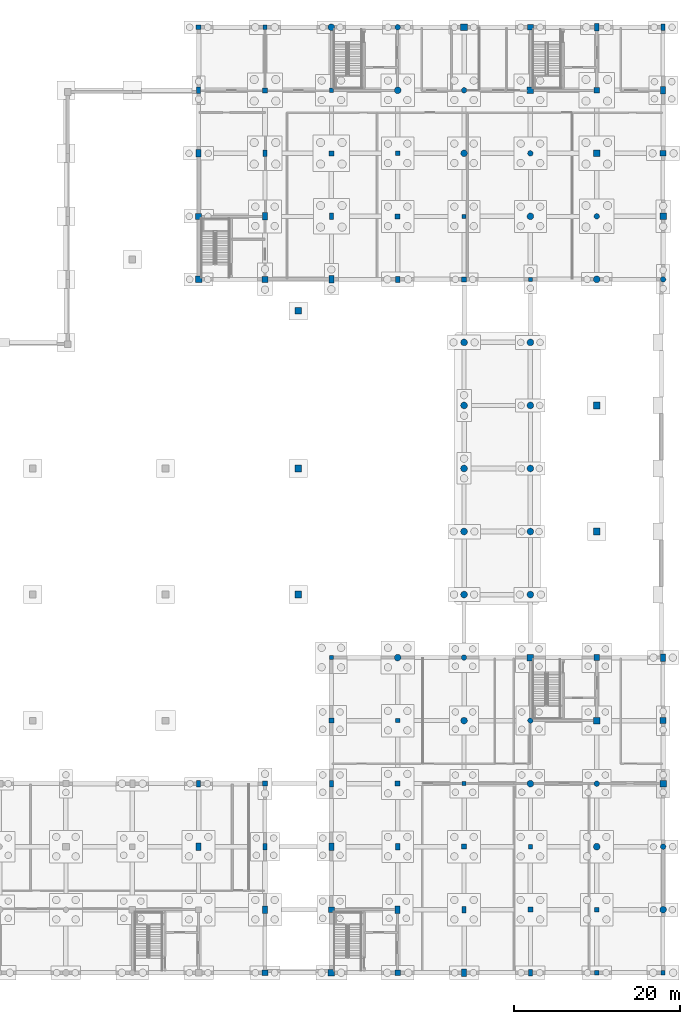
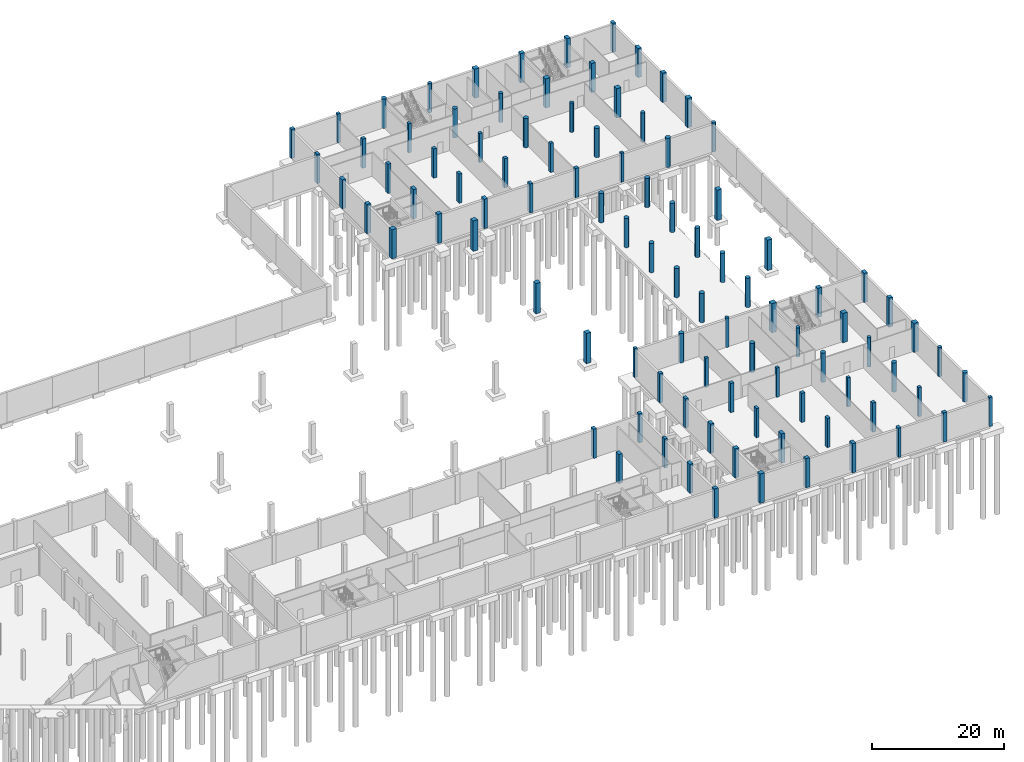
# One storey, part 19 of 44: 97 columns.
"""IFC4 building model written with IfcOpenShell, lengths in metres."""

from ifc_helpers import new_model, si_unit, direction, frame, origin, origin_2d, place, context, subcontext, project, spatial, rectangle, circle, extrude, material, material_profile, profile_set, type_object, element, save


model = new_model("IFC4")

# Units and contexts
model_context = context("Model", 3, precision=1e-05, world=origin(), true_north=direction((0.0, 1.0)))
body_context = subcontext(model_context, "Body", "Model", "MODEL_VIEW")
ifc_project = project(units=[si_unit("LENGTHUNIT", "METRE"), si_unit("AREAUNIT", "SQUARE_METRE"), si_unit("VOLUMEUNIT", "CUBIC_METRE"), si_unit("PLANEANGLEUNIT", "RADIAN"), si_unit("MASSUNIT", "GRAM", prefix="KILO")], contexts=[model_context])

# Site, building, storey
site_placement = place(None, origin())
site = spatial("IfcSite", under=ifc_project, at=site_placement, CompositionType="ELEMENT")
building_placement = place(site_placement, origin())
building = spatial("IfcBuilding", under=site, at=building_placement, Name="Khelvaren Railside Concert Hall", CompositionType="ELEMENT")
storey_placement = place(building_placement, frame((0.0, 0.0, -5.39990234375)))
storey = spatial("IfcBuildingStorey", under=building, at=storey_placement, Name="B1", CompositionType="ELEMENT", Elevation=-5.39990234375)

# Columns
ifc_material = material(Name="Concrete C45/55", Category="concrete")
ifc_material_profile_1 = material_profile(ifc_material, rectangle(XDim=0.60009765625, YDim=0.60009765625, at=origin_2d()), Name="RC 600x600")
ifc_profile_set_1 = profile_set([ifc_material_profile_1], Name="Concrete C45/55")
column_type_1 = type_object("IfcColumnType", Name="COL11", PredefinedType="COLUMN", material=ifc_profile_set_1)
for number, where, z_axis, x_axis, name in (
    (1, (144.0, 30.39990234375, 0.0), (0.0, 0.0, 1.0), (1.0, 0.0, 0.0), "V2 B1 Column (144.0,30.4)"),
    (2, (176.0, 0.0, 0.0), (0.0, 0.0, 1.0), (1.0, 0.0, 0.0), "V2 B1 Column (176.0,0.0)"),
    (3, (136.0, 22.800048828125, 0.0), (0.0, 0.0, 1.0), (1.0, 0.0, 0.0), "V3 B1 Column (136.0,22.8)"),
    (4, (128.0, 114.0, 0.0), (0.0, 0.0, 1.0), (1.0, 0.0, 0.0), "V5 B1 Column (128.0,114.0)"),
    (5, (160.0, 83.60009765625, 0.0), (0.0, 0.0, 1.0), (1.0, 0.0, 0.0), "V5 B1 Column (160.0,83.6)"),
):
    element("IfcColumn", number, at=place(storey_placement, frame(where, z_axis=z_axis, x_axis=x_axis)), inside=storey, type_object=column_type_1, Name=name, PredefinedType="COLUMN", context=body_context, shape_type="SweptSolid", body=[
        extrude(rectangle(XDim=0.60009765625, YDim=0.60009765625, at=origin_2d()), origin(), (0.0, 0.0, 1.0), 5.39990234375),
    ])
ifc_material_profile_2 = material_profile(ifc_material, circle(Radius=0.39990234375, at=origin_2d()), Name="RC D800")
ifc_profile_set_2 = profile_set([ifc_material_profile_2], Name="Concrete C45/55")
column_type_2 = type_object("IfcColumnType", Name="COL14", PredefinedType="COLUMN", material=ifc_profile_set_2)
for number, where, z_axis, x_axis, name in (
    (6, (160.0, 30.39990234375, 0.0), (0.0, 0.0, 1.0), (1.0, 0.0, 0.0), "V2 B1 Column (160.0,30.4)"),
    (7, (168.0, 22.800048828125, 0.0), (0.0, 0.0, 1.0), (1.0, 0.0, 0.0), "V2 B1 Column (168.0,22.8)"),
    (8, (176.0, 15.199951171875, 0.0), (0.0, 0.0, 1.0), (1.0, 0.0, 0.0), "V2 B1 Column (176.0,15.2)"),
    (9, (152.0, 106.39990234375, 0.0), (0.0, 0.0, 1.0), (1.0, 0.0, 0.0), "V5 B1 Column (152.0,106.4)"),
    (10, (160.0, 98.800048828125, 0.0), (0.0, 0.0, 1.0), (1.0, 0.0, 0.0), "V5 B1 Column (160.0,98.8)"),
    (11, (168.0, 91.199951171875, 0.0), (0.0, 0.0, 1.0), (1.0, 0.0, 0.0), "V5 B1 Column (168.0,91.2)"),
    (12, (160.0, 45.60009765625, 0.0), (0.0, 0.0, 1.0), (1.0, 0.0, 0.0), "LB4 B1 Bridge Pier (160,45.6)"),
    (13, (160.0, 53.199951171875, 0.0), (0.0, 0.0, 1.0), (1.0, 0.0, 0.0), "LB4 B1 Bridge Pier (160,53.2)"),
    (14, (160.0, 60.800048828125, 0.0), (0.0, 0.0, 1.0), (1.0, 0.0, 0.0), "LB4 B1 Bridge Pier (160,60.8)"),
    (15, (160.0, 68.39990234375, 0.0), (0.0, 0.0, 1.0), (1.0, 0.0, 0.0), "LB4 B1 Bridge Pier (160,68.4)"),
    (16, (160.0, 76.0, 0.0), (0.0, 0.0, 1.0), (1.0, 0.0, 0.0), "LB4 B1 Bridge Pier (160,76.0)"),
    (17, (168.0, 45.60009765625, 0.0), (0.0, 0.0, 1.0), (1.0, 0.0, 0.0), "LB4 B1 Bridge Pier (168,45.6)"),
    (18, (168.0, 53.199951171875, 0.0), (0.0, 0.0, 1.0), (1.0, 0.0, 0.0), "LB4 B1 Bridge Pier (168,53.2)"),
    (19, (168.0, 60.800048828125, 0.0), (0.0, 0.0, 1.0), (1.0, 0.0, 0.0), "LB4 B1 Bridge Pier (168,60.8)"),
    (20, (168.0, 68.39990234375, 0.0), (0.0, 0.0, 1.0), (1.0, 0.0, 0.0), "LB4 B1 Bridge Pier (168,68.4)"),
    (21, (168.0, 76.0, 0.0), (0.0, 0.0, 1.0), (1.0, 0.0, 0.0), "LB4 B1 Bridge Pier (168,76.0)"),
):
    element("IfcColumn", number, at=place(storey_placement, frame(where, z_axis=z_axis, x_axis=x_axis)), inside=storey, type_object=column_type_2, Name=name, PredefinedType="COLUMN", context=body_context, shape_type="SweptSolid", body=[
        extrude(circle(Radius=0.39990234375, at=origin_2d()), origin(), (0.0, 0.0, 1.0), 5.39990234375),
    ])
ifc_material_profile_3 = material_profile(ifc_material, rectangle(XDim=0.699951171875, YDim=0.699951171875, at=origin_2d()), Name="RC 700x700")
ifc_profile_set_3 = profile_set([ifc_material_profile_3], Name="Concrete C45/55")
column_type_3 = type_object("IfcColumnType", Name="COL16", PredefinedType="COLUMN", material=ifc_profile_set_3)
for number, where, z_axis, x_axis, name in (
    (22, (144.0, 7.60009765625, 0.0), (0.0, 0.0, 1.0), (1.0, 0.0, 0.0), "V2 B1 Column (144.0,7.6)"),
    (23, (152.0, 0.0, 0.0), (0.0, 0.0, 1.0), (1.0, 0.0, 0.0), "V2 B1 Column (152.0,0.0)"),
    (24, (176.0, 38.0, 0.0), (0.0, 0.0, 1.0), (1.0, 0.0, 0.0), "V2 B1 Column (176.0,38.0)"),
    (25, (184.0, 30.39990234375, 0.0), (0.0, 0.0, 1.0), (1.0, 0.0, 0.0), "V2 B1 Column (184.0,30.4)"),
    (26, (136.0, 0.0, 0.0), (0.0, 0.0, 1.0), (1.0, 0.0, 0.0), "V3 B1 Column (136.0,0.0)"),
    (27, (128.0, 91.199951171875, 0.0), (0.0, 0.0, 1.0), (1.0, 0.0, 0.0), "V5 B1 Column (128.0,91.2)"),
    (28, (136.0, 83.60009765625, 0.0), (0.0, 0.0, 1.0), (1.0, 0.0, 0.0), "V5 B1 Column (136.0,83.6)"),
    (29, (168.0, 114.0, 0.0), (0.0, 0.0, 1.0), (1.0, 0.0, 0.0), "V5 B1 Column (168.0,114.0)"),
    (30, (184.0, 98.800048828125, 0.0), (0.0, 0.0, 1.0), (1.0, 0.0, 0.0), "V5 B1 Column (184.0,98.8)"),
):
    element("IfcColumn", number, at=place(storey_placement, frame(where, z_axis=z_axis, x_axis=x_axis)), inside=storey, type_object=column_type_3, Name=name, PredefinedType="COLUMN", context=body_context, shape_type="SweptSolid", body=[
        extrude(rectangle(XDim=0.699951171875, YDim=0.699951171875, at=origin_2d()), origin(), (0.0, 0.0, 1.0), 5.39990234375),
    ])
ifc_material_profile_4 = material_profile(ifc_material, rectangle(XDim=0.800048828125, YDim=0.800048828125, at=origin_2d()), Name="RC 800x800")
ifc_profile_set_4 = profile_set([ifc_material_profile_4], Name="Concrete C45/55")
column_type_4 = type_object("IfcColumnType", Name="COL20", PredefinedType="COLUMN", material=ifc_profile_set_4)
for number, where, z_axis, x_axis, name in (
    (31, (176.0, 30.39990234375, 0.0), (0.0, 0.0, 1.0), (1.0, 0.0, 0.0), "V2 B1 Column (176.0,30.4)"),
    (32, (168.0, 106.39990234375, 0.0), (0.0, 0.0, 1.0), (1.0, 0.0, 0.0), "V5 B1 Column (168.0,106.4)"),
    (33, (176.0, 98.800048828125, 0.0), (0.0, 0.0, 1.0), (1.0, 0.0, 0.0), "V5 B1 Column (176.0,98.8)"),
):
    element("IfcColumn", number, at=place(storey_placement, frame(where, z_axis=z_axis, x_axis=x_axis)), inside=storey, type_object=column_type_4, Name=name, PredefinedType="COLUMN", context=body_context, shape_type="SweptSolid", body=[
        extrude(rectangle(XDim=0.800048828125, YDim=0.800048828125, at=origin_2d()), origin(), (0.0, 0.0, 1.0), 5.39990234375),
    ])
for number, where, z_axis, x_axis, name in (
    (34, (140.0, 45.60009765625, -0.5), (0.0, 0.0, 1.0), (1.0, 0.0, 0.0), "B1 Courtyard Support Column 11"),
    (35, (140.0, 60.800048828125, -0.5), (0.0, 0.0, 1.0), (1.0, 0.0, 0.0), "B1 Courtyard Support Column 17"),
    (36, (176.0, 53.199951171875, -0.5), (0.0, 0.0, 1.0), (1.0, 0.0, 0.0), "B1 Courtyard Support Column 22"),
    (37, (176.0, 68.39990234375, -0.5), (0.0, 0.0, 1.0), (1.0, 0.0, 0.0), "B1 Courtyard Support Column 23"),
    (38, (140.0, 79.800048828125, -0.5), (0.0, 0.0, 1.0), (1.0, 0.0, 0.0), "B1 Courtyard Support Column 24"),
):
    element("IfcColumn", number, at=place(storey_placement, frame(where, z_axis=z_axis, x_axis=x_axis)), inside=storey, type_object=column_type_4, Name=name, PredefinedType="COLUMN", context=body_context, shape_type="SweptSolid", body=[
        extrude(rectangle(XDim=0.800048828125, YDim=0.800048828125, at=origin_2d()), origin(), (0.0, 0.0, 1.0), 5.599853515625),
    ])
ifc_material_profile_5 = material_profile(ifc_material, circle(Radius=0.39990234375, at=origin_2d()), Name="RC D800")
ifc_profile_set_5 = profile_set([ifc_material_profile_5], Name="Concrete C45/55")
column_type_5 = type_object("IfcColumnType", Name="COL22", PredefinedType="COLUMN", material=ifc_profile_set_5)
for number, where, z_axis, x_axis, name in (
    (39, (152.0, 38.0, 0.0), (0.0, 0.0, 1.0), (1.0, 0.0, 0.0), "V2 B1 Column (152.0,38.0)"),
    (40, (184.0, 7.60009765625, 0.0), (0.0, 0.0, 1.0), (1.0, 0.0, 0.0), "V2 B1 Column (184.0,7.6)"),
    (41, (144.0, 114.0, 0.0), (0.0, 0.0, 1.0), (1.0, 0.0, 0.0), "V5 B1 Column (144.0,114.0)"),
    (42, (176.0, 83.60009765625, 0.0), (0.0, 0.0, 1.0), (1.0, 0.0, 0.0), "V5 B1 Column (176.0,83.6)"),
):
    element("IfcColumn", number, at=place(storey_placement, frame(where, z_axis=z_axis, x_axis=x_axis)), inside=storey, type_object=column_type_5, Name=name, PredefinedType="COLUMN", context=body_context, shape_type="SweptSolid", body=[
        extrude(circle(Radius=0.39990234375, at=origin_2d()), origin(), (0.0, 0.0, 1.0), 5.39990234375),
    ])
ifc_material_profile_6 = material_profile(ifc_material, rectangle(XDim=0.60009765625, YDim=0.60009765625, at=origin_2d()), Name="RC 600x600")
ifc_profile_set_6 = profile_set([ifc_material_profile_6], Name="Concrete C45/55")
column_type_6 = type_object("IfcColumnType", Name="COL29", PredefinedType="COLUMN", material=ifc_profile_set_6)
for number, where, z_axis, x_axis, name in (
    (43, (152.0, 22.800048828125, 0.0), (0.0, 0.0, 1.0), (1.0, 0.0, 0.0), "V2 B1 Column (152.0,22.8)"),
    (44, (160.0, 15.199951171875, 0.0), (0.0, 0.0, 1.0), (1.0, 0.0, 0.0), "V2 B1 Column (160.0,15.2)"),
    (45, (168.0, 7.60009765625, 0.0), (0.0, 0.0, 1.0), (1.0, 0.0, 0.0), "V2 B1 Column (168.0,7.6)"),
    (46, (136.0, 106.39990234375, 0.0), (0.0, 0.0, 1.0), (1.0, 0.0, 0.0), "V5 B1 Column (136.0,106.4)"),
    (47, (144.0, 98.800048828125, 0.0), (0.0, 0.0, 1.0), (1.0, 0.0, 0.0), "V5 B1 Column (144.0,98.8)"),
    (48, (152.0, 91.199951171875, 0.0), (0.0, 0.0, 1.0), (1.0, 0.0, 0.0), "V5 B1 Column (152.0,91.2)"),
):
    element("IfcColumn", number, at=place(storey_placement, frame(where, z_axis=z_axis, x_axis=x_axis)), inside=storey, type_object=column_type_6, Name=name, PredefinedType="COLUMN", context=body_context, shape_type="SweptSolid", body=[
        extrude(rectangle(XDim=0.60009765625, YDim=0.60009765625, at=origin_2d()), origin(), (0.0, 0.0, 1.0), 5.39990234375),
    ])
ifc_material_profile_7 = material_profile(ifc_material, rectangle(XDim=0.60009765625, YDim=0.89990234375, at=origin_2d()), Name="RC 600x900")
ifc_profile_set_7 = profile_set([ifc_material_profile_7], Name="Concrete C45/55")
column_type_7 = type_object("IfcColumnType", Name="COL33", PredefinedType="COLUMN", material=ifc_profile_set_7)
for number, where, z_axis, x_axis, name in (
    (49, (152.0, 7.60009765625, 0.0), (0.0, 0.0, 1.0), (1.0, 0.0, 0.0), "V2 B1 Column (152.0,7.6)"),
    (50, (128.0, 15.199951171875, 0.0), (0.0, 0.0, 1.0), (1.0, 0.0, 0.0), "V3 B1 Column (128.0,15.2)"),
    (51, (136.0, 91.199951171875, 0.0), (0.0, 0.0, 1.0), (1.0, 0.0, 0.0), "V5 B1 Column (136.0,91.2)"),
):
    element("IfcColumn", number, at=place(storey_placement, frame(where, z_axis=z_axis, x_axis=x_axis)), inside=storey, type_object=column_type_7, Name=name, PredefinedType="COLUMN", context=body_context, shape_type="SweptSolid", body=[
        extrude(rectangle(XDim=0.60009765625, YDim=0.89990234375, at=origin_2d()), origin(), (0.0, 0.0, 1.0), 5.39990234375),
    ])
ifc_material_profile_8 = material_profile(ifc_material, rectangle(XDim=0.5, YDim=0.5, at=origin_2d()), Name="RC 500x500")
ifc_profile_set_8 = profile_set([ifc_material_profile_8], Name="Concrete C45/55")
column_type_8 = type_object("IfcColumnType", Name="COL35", PredefinedType="COLUMN", material=ifc_profile_set_8)
for number, where, z_axis, x_axis, name in (
    (52, (144.0, 38.0, 0.0), (0.0, 0.0, 1.0), (1.0, 0.0, 0.0), "V2 B1 Column (144.0,38.0)"),
    (53, (184.0, 0.0, 0.0), (0.0, 0.0, 1.0), (1.0, 0.0, 0.0), "V2 B1 Column (184.0,0.0)"),
    (54, (136.0, 114.0, 0.0), (0.0, 0.0, 1.0), (1.0, 0.0, 0.0), "V5 B1 Column (136.0,114.0)"),
    (55, (168.0, 83.60009765625, 0.0), (0.0, 0.0, 1.0), (1.0, 0.0, 0.0), "V5 B1 Column (168.0,83.6)"),
):
    element("IfcColumn", number, at=place(storey_placement, frame(where, z_axis=z_axis, x_axis=x_axis)), inside=storey, type_object=column_type_8, Name=name, PredefinedType="COLUMN", context=body_context, shape_type="SweptSolid", body=[
        extrude(rectangle(XDim=0.5, YDim=0.5, at=origin_2d()), origin(), (0.0, 0.0, 1.0), 5.39990234375),
    ])
ifc_material_profile_9 = material_profile(ifc_material, rectangle(XDim=0.5, YDim=0.75, at=origin_2d()), Name="RC 500x750")
ifc_profile_set_9 = profile_set([ifc_material_profile_9], Name="Concrete C45/55")
column_type_9 = type_object("IfcColumnType", Name="COL36", PredefinedType="COLUMN", material=ifc_profile_set_9)
for number, where, z_axis, x_axis, name in (
    (56, (152.0, 15.199951171875, 0.0), (0.0, 0.0, 1.0), (1.0, 0.0, 0.0), "V2 B1 Column (152.0,15.2)"),
    (57, (160.0, 7.60009765625, 0.0), (0.0, 0.0, 1.0), (1.0, 0.0, 0.0), "V2 B1 Column (160.0,7.6)"),
    (58, (136.0, 98.800048828125, 0.0), (0.0, 0.0, 1.0), (1.0, 0.0, 0.0), "V5 B1 Column (136.0,98.8)"),
    (59, (144.0, 91.199951171875, 0.0), (0.0, 0.0, 1.0), (1.0, 0.0, 0.0), "V5 B1 Column (144.0,91.2)"),
):
    element("IfcColumn", number, at=place(storey_placement, frame(where, z_axis=z_axis, x_axis=x_axis)), inside=storey, type_object=column_type_9, Name=name, PredefinedType="COLUMN", context=body_context, shape_type="SweptSolid", body=[
        extrude(rectangle(XDim=0.5, YDim=0.75, at=origin_2d()), origin(), (0.0, 0.0, 1.0), 5.39990234375),
    ])
ifc_material_profile_10 = material_profile(ifc_material, rectangle(XDim=0.800048828125, YDim=0.800048828125, at=origin_2d()), Name="RC 800x800")
ifc_profile_set_10 = profile_set([ifc_material_profile_10], Name="Concrete C45/55")
column_type_10 = type_object("IfcColumnType", Name="COL38", PredefinedType="COLUMN", material=ifc_profile_set_10)
for number, where, z_axis, x_axis, name in (
    (60, (144.0, 0.0, 0.0), (0.0, 0.0, 1.0), (1.0, 0.0, 0.0), "V2 B1 Column (144.0,0.0)"),
    (61, (168.0, 38.0, 0.0), (0.0, 0.0, 1.0), (1.0, 0.0, 0.0), "V2 B1 Column (168.0,38.0)"),
    (62, (184.0, 22.800048828125, 0.0), (0.0, 0.0, 1.0), (1.0, 0.0, 0.0), "V2 B1 Column (184.0,22.8)"),
    (63, (128.0, 83.60009765625, 0.0), (0.0, 0.0, 1.0), (1.0, 0.0, 0.0), "V5 B1 Column (128.0,83.6)"),
    (64, (160.0, 114.0, 0.0), (0.0, 0.0, 1.0), (1.0, 0.0, 0.0), "V5 B1 Column (160.0,114.0)"),
    (65, (184.0, 91.199951171875, 0.0), (0.0, 0.0, 1.0), (1.0, 0.0, 0.0), "V5 B1 Column (184.0,91.2)"),
):
    element("IfcColumn", number, at=place(storey_placement, frame(where, z_axis=z_axis, x_axis=x_axis)), inside=storey, type_object=column_type_10, Name=name, PredefinedType="COLUMN", context=body_context, shape_type="SweptSolid", body=[
        extrude(rectangle(XDim=0.800048828125, YDim=0.800048828125, at=origin_2d()), origin(), (0.0, 0.0, 1.0), 5.39990234375),
    ])
ifc_material_profile_11 = material_profile(ifc_material, circle(Radius=0.324951171875, at=origin_2d()), Name="RC D650")
ifc_profile_set_11 = profile_set([ifc_material_profile_11], Name="Concrete C45/55")
column_type_11 = type_object("IfcColumnType", Name="COL53", PredefinedType="COLUMN", material=ifc_profile_set_11)
for number, where, z_axis, x_axis, name in (
    (66, (160.0, 38.0, 0.0), (0.0, 0.0, 1.0), (1.0, 0.0, 0.0), "V2 B1 Column (160.0,38.0)"),
    (67, (184.0, 15.199951171875, 0.0), (0.0, 0.0, 1.0), (1.0, 0.0, 0.0), "V2 B1 Column (184.0,15.2)"),
    (68, (152.0, 114.0, 0.0), (0.0, 0.0, 1.0), (1.0, 0.0, 0.0), "V5 B1 Column (152.0,114.0)"),
    (69, (184.0, 83.60009765625, 0.0), (0.0, 0.0, 1.0), (1.0, 0.0, 0.0), "V5 B1 Column (184.0,83.6)"),
):
    element("IfcColumn", number, at=place(storey_placement, frame(where, z_axis=z_axis, x_axis=x_axis)), inside=storey, type_object=column_type_11, Name=name, PredefinedType="COLUMN", context=body_context, shape_type="SweptSolid", body=[
        extrude(circle(Radius=0.324951171875, at=origin_2d()), origin(), (0.0, 0.0, 1.0), 5.39990234375),
    ])
ifc_material_profile_12 = material_profile(ifc_material, rectangle(XDim=0.699951171875, YDim=0.699951171875, at=origin_2d()), Name="RC 700x700")
ifc_profile_set_12 = profile_set([ifc_material_profile_12], Name="Concrete C45/55")
column_type_12 = type_object("IfcColumnType", Name="COL74", PredefinedType="COLUMN", material=ifc_profile_set_12)
column_placement = place(storey_placement, frame((176.0, 106.39990234375, 0.0), z_axis=(0.0, 0.0, 1.0), x_axis=(1.0, 0.0, 0.0)))
element("IfcColumn", 70, at=column_placement, inside=storey, type_object=column_type_12, Name="V5 B1 Column (176.0,106.4)", PredefinedType="COLUMN", context=body_context, shape_type="SweptSolid", body=[
    extrude(rectangle(XDim=0.699951171875, YDim=0.699951171875, at=origin_2d()), origin(), (0.0, 0.0, 1.0), 5.39990234375),
])
ifc_material_profile_13 = material_profile(ifc_material, rectangle(XDim=0.5, YDim=0.5, at=origin_2d()), Name="RC 500x500")
ifc_profile_set_13 = profile_set([ifc_material_profile_13], Name="Concrete C45/55")
column_type_13 = type_object("IfcColumnType", Name="COL84", PredefinedType="COLUMN", material=ifc_profile_set_13)
for number, where, z_axis, x_axis, name in (
    (71, (152.0, 30.39990234375, 0.0), (0.0, 0.0, 1.0), (1.0, 0.0, 0.0), "V2 B1 Column (152.0,30.4)"),
    (72, (160.0, 22.800048828125, 0.0), (0.0, 0.0, 1.0), (1.0, 0.0, 0.0), "V2 B1 Column (160.0,22.8)"),
    (73, (168.0, 15.199951171875, 0.0), (0.0, 0.0, 1.0), (1.0, 0.0, 0.0), "V2 B1 Column (168.0,15.2)"),
    (74, (176.0, 7.60009765625, 0.0), (0.0, 0.0, 1.0), (1.0, 0.0, 0.0), "V2 B1 Column (176.0,7.6)"),
    (75, (144.0, 106.39990234375, 0.0), (0.0, 0.0, 1.0), (1.0, 0.0, 0.0), "V5 B1 Column (144.0,106.4)"),
    (76, (152.0, 98.800048828125, 0.0), (0.0, 0.0, 1.0), (1.0, 0.0, 0.0), "V5 B1 Column (152.0,98.8)"),
    (77, (160.0, 91.199951171875, 0.0), (0.0, 0.0, 1.0), (1.0, 0.0, 0.0), "V5 B1 Column (160.0,91.2)"),
):
    element("IfcColumn", number, at=place(storey_placement, frame(where, z_axis=z_axis, x_axis=x_axis)), inside=storey, type_object=column_type_13, Name=name, PredefinedType="COLUMN", context=body_context, shape_type="SweptSolid", body=[
        extrude(rectangle(XDim=0.5, YDim=0.5, at=origin_2d()), origin(), (0.0, 0.0, 1.0), 5.39990234375),
    ])
ifc_material_profile_14 = material_profile(ifc_material, circle(Radius=0.324951171875, at=origin_2d()), Name="RC D650")
ifc_profile_set_14 = profile_set([ifc_material_profile_14], Name="Concrete C45/55")
column_type_14 = type_object("IfcColumnType", Name="COL94", PredefinedType="COLUMN", material=ifc_profile_set_14)
for number, where, z_axis, x_axis, name in (
    (78, (168.0, 30.39990234375, 0.0), (0.0, 0.0, 1.0), (1.0, 0.0, 0.0), "V2 B1 Column (168.0,30.4)"),
    (79, (176.0, 22.800048828125, 0.0), (0.0, 0.0, 1.0), (1.0, 0.0, 0.0), "V2 B1 Column (176.0,22.8)"),
    (80, (160.0, 106.39990234375, 0.0), (0.0, 0.0, 1.0), (1.0, 0.0, 0.0), "V5 B1 Column (160.0,106.4)"),
    (81, (168.0, 98.800048828125, 0.0), (0.0, 0.0, 1.0), (1.0, 0.0, 0.0), "V5 B1 Column (168.0,98.8)"),
    (82, (176.0, 91.199951171875, 0.0), (0.0, 0.0, 1.0), (1.0, 0.0, 0.0), "V5 B1 Column (176.0,91.2)"),
):
    element("IfcColumn", number, at=place(storey_placement, frame(where, z_axis=z_axis, x_axis=x_axis)), inside=storey, type_object=column_type_14, Name=name, PredefinedType="COLUMN", context=body_context, shape_type="SweptSolid", body=[
        extrude(circle(Radius=0.324951171875, at=origin_2d()), origin(), (0.0, 0.0, 1.0), 5.39990234375),
    ])
ifc_material_profile_15 = material_profile(ifc_material, rectangle(XDim=0.60009765625, YDim=0.89990234375, at=origin_2d()), Name="RC 600x900")
ifc_profile_set_15 = profile_set([ifc_material_profile_15], Name="Concrete C45/55")
column_type_15 = type_object("IfcColumnType", Name="COL95", PredefinedType="COLUMN", material=ifc_profile_set_15)
for number, where, z_axis, x_axis, name in (
    (83, (144.0, 15.199951171875, 0.0), (0.0, 0.0, 1.0), (1.0, 0.0, 0.0), "V2 B1 Column (144.0,15.2)"),
    (84, (160.0, 0.0, 0.0), (0.0, 0.0, 1.0), (1.0, 0.0, 0.0), "V2 B1 Column (160.0,0.0)"),
    (85, (184.0, 38.0, 0.0), (0.0, 0.0, 1.0), (1.0, 0.0, 0.0), "V2 B1 Column (184.0,38.0)"),
    (86, (136.0, 7.60009765625, 0.0), (0.0, 0.0, 1.0), (1.0, 0.0, 0.0), "V3 B1 Column (136.0,7.6)"),
    (87, (128.0, 98.800048828125, 0.0), (0.0, 0.0, 1.0), (1.0, 0.0, 0.0), "V5 B1 Column (128.0,98.8)"),
    (88, (144.0, 83.60009765625, 0.0), (0.0, 0.0, 1.0), (1.0, 0.0, 0.0), "V5 B1 Column (144.0,83.6)"),
    (89, (176.0, 114.0, 0.0), (0.0, 0.0, 1.0), (1.0, 0.0, 0.0), "V5 B1 Column (176.0,114.0)"),
    (90, (184.0, 106.39990234375, 0.0), (0.0, 0.0, 1.0), (1.0, 0.0, 0.0), "V5 B1 Column (184.0,106.4)"),
):
    element("IfcColumn", number, at=place(storey_placement, frame(where, z_axis=z_axis, x_axis=x_axis)), inside=storey, type_object=column_type_15, Name=name, PredefinedType="COLUMN", context=body_context, shape_type="SweptSolid", body=[
        extrude(rectangle(XDim=0.60009765625, YDim=0.89990234375, at=origin_2d()), origin(), (0.0, 0.0, 1.0), 5.39990234375),
    ])
ifc_material_profile_16 = material_profile(ifc_material, rectangle(XDim=0.5, YDim=0.75, at=origin_2d()), Name="RC 500x750")
ifc_profile_set_16 = profile_set([ifc_material_profile_16], Name="Concrete C45/55")
column_type_16 = type_object("IfcColumnType", Name="COL97", PredefinedType="COLUMN", material=ifc_profile_set_16)
for number, where, z_axis, x_axis, name in (
    (91, (144.0, 22.800048828125, 0.0), (0.0, 0.0, 1.0), (1.0, 0.0, 0.0), "V2 B1 Column (144.0,22.8)"),
    (92, (168.0, 0.0, 0.0), (0.0, 0.0, 1.0), (1.0, 0.0, 0.0), "V2 B1 Column (168.0,0.0)"),
    (93, (128.0, 22.800048828125, 0.0), (0.0, 0.0, 1.0), (1.0, 0.0, 0.0), "V3 B1 Column (128.0,22.8)"),
    (94, (136.0, 15.199951171875, 0.0), (0.0, 0.0, 1.0), (1.0, 0.0, 0.0), "V3 B1 Column (136.0,15.2)"),
    (95, (128.0, 106.39990234375, 0.0), (0.0, 0.0, 1.0), (1.0, 0.0, 0.0), "V5 B1 Column (128.0,106.4)"),
    (96, (152.0, 83.60009765625, 0.0), (0.0, 0.0, 1.0), (1.0, 0.0, 0.0), "V5 B1 Column (152.0,83.6)"),
    (97, (184.0, 114.0, 0.0), (0.0, 0.0, 1.0), (1.0, 0.0, 0.0), "V5 B1 Column (184.0,114.0)"),
):
    element("IfcColumn", number, at=place(storey_placement, frame(where, z_axis=z_axis, x_axis=x_axis)), inside=storey, type_object=column_type_16, Name=name, PredefinedType="COLUMN", context=body_context, shape_type="SweptSolid", body=[
        extrude(rectangle(XDim=0.5, YDim=0.75, at=origin_2d()), origin(), (0.0, 0.0, 1.0), 5.39990234375),
    ])

save(model, "model.ifc")
